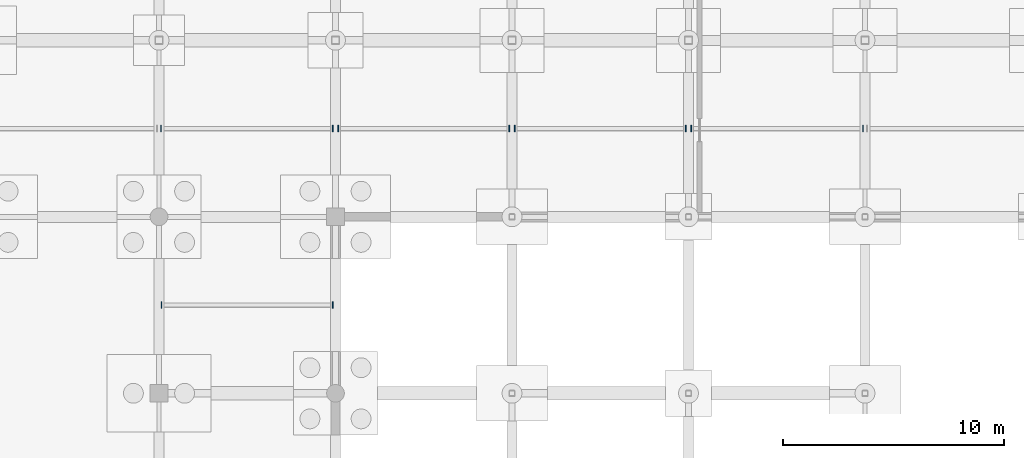
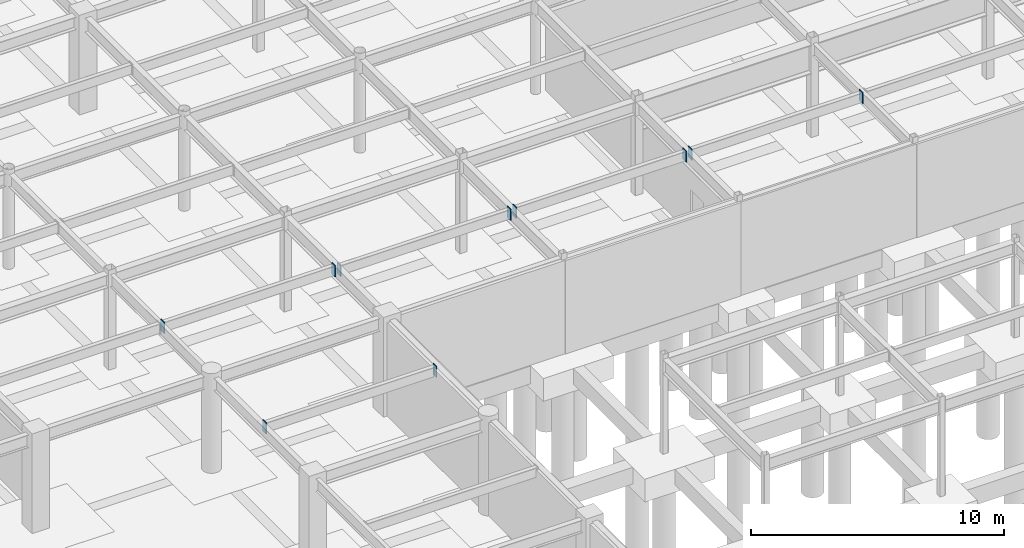
# One storey, part 82 of 105: 10 discrete accessories.
"""IFC4 building model written with IfcOpenShell, lengths in metres."""

from ifc_helpers import new_model, si_unit, direction, frame, origin, origin_2d, place, context, subcontext, project, spatial, rectangle, extrude, material, layer, layer_set, type_object, element, save


model = new_model("IFC4")

# Units and contexts
model_context = context("Model", 3, precision=1e-05, world=origin(), true_north=direction((0.0, 1.0)))
body_context = subcontext(model_context, "Body", "Model", "MODEL_VIEW")
ifc_project = project(units=[si_unit("LENGTHUNIT", "METRE"), si_unit("AREAUNIT", "SQUARE_METRE"), si_unit("VOLUMEUNIT", "CUBIC_METRE"), si_unit("PLANEANGLEUNIT", "RADIAN"), si_unit("MASSUNIT", "GRAM", prefix="KILO")], contexts=[model_context])

# Site, building, storey
site_placement = place(None, origin())
site = spatial("IfcSite", under=ifc_project, at=site_placement, CompositionType="ELEMENT")
building_placement = place(site_placement, origin())
building = spatial("IfcBuilding", under=site, at=building_placement, Name="Solmirada Galleria", CompositionType="ELEMENT")
storey_placement = place(building_placement, frame((0.0, 0.0, -4.800048828125)))
storey = spatial("IfcBuildingStorey", under=building, at=storey_placement, Name="B1", CompositionType="ELEMENT", Elevation=-4.800048828125)

# Discrete accessories
ifc_material = material(Name="Steel S355 / ASTM A572 Grade 50", Category="steel")
ifc_layer = layer(ifc_material, 0.031982421875)
ifc_layer_set = layer_set([ifc_layer], Name="Steel S355 / ASTM A572 Grade 50")
discrete_accessory_type = type_object("IfcDiscreteAccessoryType", Name="ACC-COL-CAP", PredefinedType="BRACKET", material=ifc_layer_set)
for number, where, z_axis, x_axis, name in (
    (1, (104.114013671875, 68.0, 4.08154296875), (0.0, 0.0, 1.0), (1.0, 0.0, 0.0), "Hollow joist end plate L00-14-09-L"),
    (2, (111.873046875, 68.0, 4.08154296875), (0.0, 0.0, 1.0), (1.0, 0.0, 0.0), "Hollow joist end plate L00-14-09-R"),
    (3, (104.089111328125, 76.0, 4.08154296875), (0.0, 0.0, 1.0), (1.0, 0.0, 0.0), "Hollow joist end plate L00-14-10-L"),
    (4, (111.873046875, 76.0, 4.08154296875), (0.0, 0.0, 1.0), (1.0, 0.0, 0.0), "Hollow joist end plate L00-14-10-R"),
    (5, (112.126953125, 76.0, 4.00146484375), (0.0, 0.0, 1.0), (1.0, 0.0, 0.0), "Hollow joist end plate L00-15-10-L"),
    (6, (119.8720703125, 76.0, 4.00146484375), (0.0, 0.0, 1.0), (1.0, 0.0, 0.0), "Hollow joist end plate L00-15-10-R"),
    (7, (120.1279296875, 76.0, 4.00146484375), (0.0, 0.0, 1.0), (1.0, 0.0, 0.0), "Hollow joist end plate L00-16-10-L"),
    (8, (127.873046875, 76.0, 4.00146484375), (0.0, 0.0, 1.0), (1.0, 0.0, 0.0), "Hollow joist end plate L00-16-10-R"),
    (9, (128.126953125, 76.0, 4.00146484375), (0.0, 0.0, 1.0), (1.0, 0.0, 0.0), "Hollow joist end plate L00-17-10-L"),
    (10, (135.910888671875, 76.0, 4.00146484375), (0.0, 0.0, 1.0), (1.0, 0.0, 0.0), "Hollow joist end plate L00-17-10-R"),
):
    element("IfcDiscreteAccessory", number, at=place(storey_placement, frame(where, z_axis=z_axis, x_axis=x_axis)), inside=storey, type_object=discrete_accessory_type, Name=name, PredefinedType="BRACKET", context=body_context, shape_type="SweptSolid", body=[
        extrude(rectangle(XDim=0.035888671875, YDim=0.280029296875, at=origin_2d()), origin(), (0.0, 0.0, 1.0), 0.5400390625),
    ])

save(model, "model.ifc")
